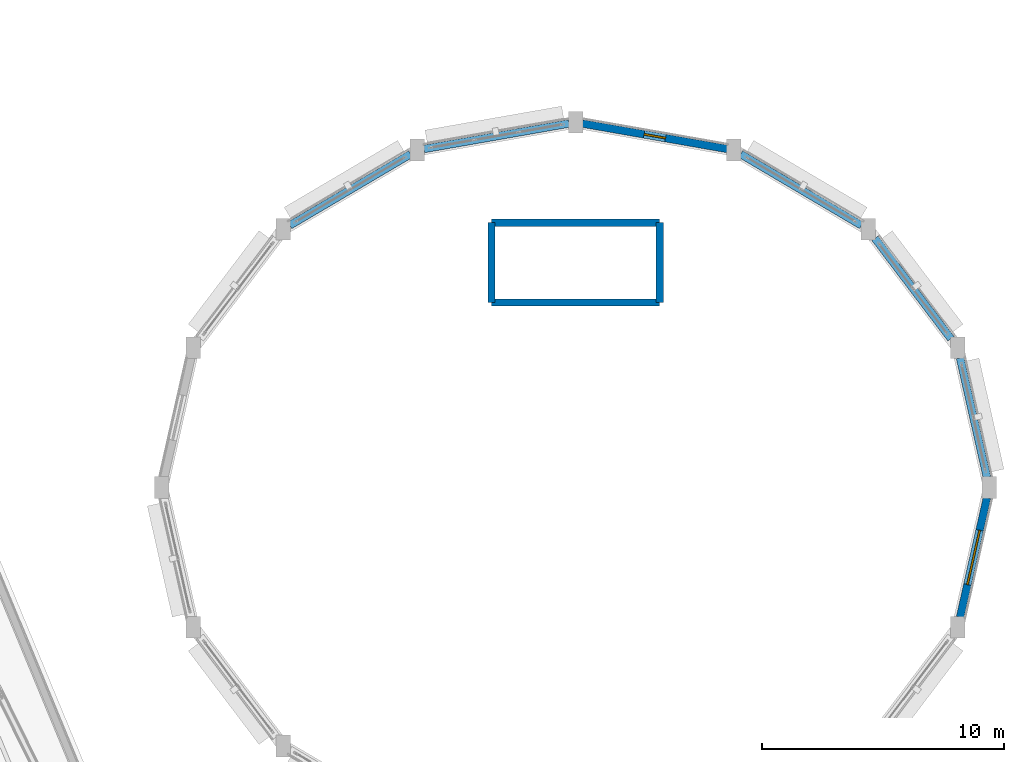
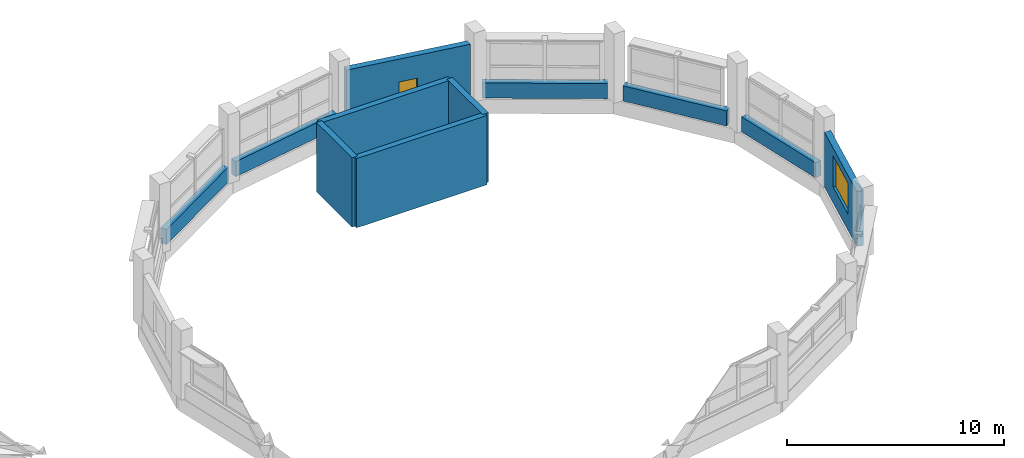
# One storey, part 107 of 121: 11 walls, 2 windows, 2 openings.
"""IFC4 building model written with IfcOpenShell, lengths in metres."""

import ifcopenshell
import ifcopenshell.guid

model = None  # the IFC model being written
_history = None  # IfcOwnerHistory: only IFC2X3 demands one
_inside = {}  # id of a spatial element -> (the spatial element, [elements in it])
_under = {}  # id of a project, library or spatial element -> (it, [spatial elements below it])
_declared = {}  # id of a project -> (the project, [libraries it declares])
_typed = {}  # id of a type object -> (the type object, [elements of that type])
_made_of = {}  # id of a material, layer set ... -> (it, [elements and type objects made of it])


def new_model(schema):
    """Start an empty IFC model of exactly this schema.

    Asked for "IFC4X3", IfcOpenShell would pick the latest addendum, in which some entities
    have other attributes; the version numbers below select the first issue.
    IFC2X3 requires an IfcOwnerHistory on every rooted entity: one is made here for all.
    """
    global model, _history
    if schema == "IFC4X3":
        model = ifcopenshell.file(schema_version=(4, 3, 0, 0))
    else:
        model = ifcopenshell.file(schema=schema)
    _inside.clear()
    _under.clear()
    _declared.clear()
    _typed.clear()
    _made_of.clear()
    _history = None
    if model.schema == "IFC2X3":
        org = make("IfcOrganization", Name="unknown")
        user = make(
            "IfcPersonAndOrganization",
            ThePerson=make("IfcPerson", FamilyName="unknown"),
            TheOrganization=org,
        )
        app = make(
            "IfcApplication",
            ApplicationDeveloper=org,
            Version="unknown",
            ApplicationFullName="unknown",
            ApplicationIdentifier="unknown",
        )
        _history = make(
            "IfcOwnerHistory",
            OwningUser=user,
            OwningApplication=app,
            ChangeAction="ADDED",
            CreationDate=0,
        )
    return model


def make(cls, **values):
    """One entity of the class cls with the attributes given. An attribute that is None is left unset."""
    return model.create_entity(
        cls, **{name: value for name, value in values.items() if value is not None}
    )


def rooted(cls, **values):
    """An entity with a GlobalId (a new one), such as an element, a storey or a relation."""
    return make(cls, GlobalId=ifcopenshell.guid.new(), OwnerHistory=_history, **values)


def si_unit(unit_type, name, prefix=None):
    """IfcSIUnit, for example si_unit("LENGTHUNIT", "METRE", prefix="MILLI")."""
    return make("IfcSIUnit", UnitType=unit_type, Prefix=prefix, Name=name)


def assignment(units):
    """IfcUnitAssignment: the units of a project."""
    return None if units is None else make("IfcUnitAssignment", Units=units)


def point(xyz):
    """IfcCartesianPoint."""
    return None if xyz is None else make("IfcCartesianPoint", Coordinates=xyz)


def direction(xyz):
    """IfcDirection."""
    return None if xyz is None else make("IfcDirection", DirectionRatios=xyz)


def frame(location, z_axis=None, x_axis=None):
    """IfcAxis2Placement3D, a coordinate frame: its origin and axes. An axis left out is left unset."""
    return make(
        "IfcAxis2Placement3D",
        Location=point(location),
        Axis=direction(z_axis),
        RefDirection=direction(x_axis),
    )


def frame_2d(location, x_axis=None):
    """IfcAxis2Placement2D, a coordinate frame in the plane: its origin and x axis."""
    return make(
        "IfcAxis2Placement2D", Location=point(location), RefDirection=direction(x_axis)
    )


def origin():
    """The frame at (0, 0, 0) with its axes left unset."""
    return frame((0.0, 0.0, 0.0))


def place(relative_to, where):
    """IfcLocalPlacement: puts the frame where relative to a parent placement (None: the world)."""
    return make(
        "IfcLocalPlacement", PlacementRelTo=relative_to, RelativePlacement=where
    )


def context(
    kind, dimensions, precision=None, world=None, true_north=None, identifier=None
):
    """IfcGeometricRepresentationContext, for example the 3D "Model" context."""
    return make(
        "IfcGeometricRepresentationContext",
        ContextIdentifier=identifier,
        ContextType=kind,
        CoordinateSpaceDimension=dimensions,
        Precision=precision,
        WorldCoordinateSystem=world,
        TrueNorth=true_north,
    )


def subcontext(parent, identifier, kind, view, scale=None):
    """IfcGeometricRepresentationSubContext, for example "Body" below "Model"."""
    return make(
        "IfcGeometricRepresentationSubContext",
        ContextIdentifier=identifier,
        ContextType=kind,
        ParentContext=parent,
        TargetScale=scale,
        TargetView=view,
    )


def project(units=None, contexts=None):
    """IfcProject with its units and contexts."""
    return rooted(
        "IfcProject",
        Name="project",
        RepresentationContexts=contexts,
        UnitsInContext=assignment(units),
    )


def spatial(cls, under=None, at=None, **own):
    """A site, building, storey or space (cls), placed at a placement, below another one or the project."""
    s = rooted(cls, ObjectPlacement=at, **own)
    if under is not None:
        _under.setdefault(under.id(), (under, []))[1].append(s)
    return s


def profile(cls, at=None, kind="AREA", **sizes):
    """A parametric profile (cls). Its sizes go by their IFC names, for example OverallWidth=200.0."""
    return make(cls, ProfileType=kind, Position=at, **sizes)


def rectangle(**sizes):
    """IfcRectangleProfileDef."""
    return profile("IfcRectangleProfileDef", **sizes)


def extrude(swept, where, along, depth):
    """IfcExtrudedAreaSolid: the profile swept, set in the frame where, extruded along a direction by depth."""
    return make(
        "IfcExtrudedAreaSolid",
        SweptArea=swept,
        Position=where,
        ExtrudedDirection=direction(along),
        Depth=depth,
    )


def shape(context_of_items, identifier, shape_type, items):
    """IfcShapeRepresentation: the items that make up one representation, for example the "Body"."""
    return make(
        "IfcShapeRepresentation",
        ContextOfItems=context_of_items,
        RepresentationIdentifier=identifier,
        RepresentationType=shape_type,
        Items=items,
    )


def material(Name=None, Category=None):
    """IfcMaterial."""
    return make("IfcMaterial", Name=Name, Category=Category)


def layer(
    of_material, thickness, ventilated=None, Name=None, Category=None, Priority=None
):
    """IfcMaterialLayer: one layer of a wall or slab, of a material (None: an air gap)."""
    return make(
        "IfcMaterialLayer",
        Material=of_material,
        LayerThickness=thickness,
        IsVentilated=ventilated,
        Name=Name,
        Category=Category,
        Priority=Priority,
    )


def layer_set(layers, Name=None):
    """IfcMaterialLayerSet."""
    return make("IfcMaterialLayerSet", MaterialLayers=layers, LayerSetName=Name)


def made_of(thing, what):
    """Note that an element or type object is made of a material, layer set ...; save() writes the relation."""
    if what is not None:
        _made_of.setdefault(what.id(), (what, []))[1].append(thing)
    return thing


def type_object(cls, material=None, **own):
    """A type object (cls), such as IfcWallType, which elements share."""
    return made_of(rooted(cls, **own), material)


def element(
    cls,
    number,
    at=None,
    inside=None,
    cuts=None,
    type_object=None,
    material=None,
    context=None,
    identifier="Body",
    shape_type=None,
    held_by="IfcProductDefinitionShape",
    body=None,
    shapes=None,
    **own,
):
    """One element of the class cls, such as IfcWall. Its Tag is "e" and its number.

    at: its placement. inside: the storey or other place that contains it. cuts: it is an
    opening in that element (IfcRelVoidsElement). A single representation is given by context,
    identifier, shape_type and body (its items); several are given by shapes. held_by: the class
    of the entity that holds the representations. save() writes the other relations.
    """
    e = rooted(cls, Tag="e%d" % number, ObjectPlacement=at, **own)
    if body is not None:
        shapes = [shape(context, identifier, shape_type, body)]
    if shapes is not None:
        e.Representation = make(held_by, Representations=shapes)
    if inside is not None:
        _inside.setdefault(inside.id(), (inside, []))[1].append(e)
    if cuts is not None:
        rooted(
            "IfcRelVoidsElement", RelatingBuildingElement=cuts, RelatedOpeningElement=e
        )
    if type_object is not None:
        _typed.setdefault(type_object.id(), (type_object, []))[1].append(e)
    return made_of(e, material)


def fill(opening, filler):
    """IfcRelFillsElement: the door or window that sits in an opening."""
    return rooted(
        "IfcRelFillsElement",
        RelatingOpeningElement=opening,
        RelatedBuildingElement=filler,
    )


def aggregate(whole, parts):
    """IfcRelAggregates: a whole, such as a stair, and the parts it consists of."""
    return rooted("IfcRelAggregates", RelatingObject=whole, RelatedObjects=parts)


def save(model, path):
    """Write the relations noted so far, then the file.

    IfcRelAggregates (storeys below a building ...), IfcRelContainedInSpatialStructure (elements
    in a storey), IfcRelDefinesByType, IfcRelAssociatesMaterial and IfcRelDeclares: one each for
    every whole, place, type object, material and project.
    """
    for whole, parts in _under.values():
        aggregate(whole, parts)
    for where, things in _inside.values():
        rooted(
            "IfcRelContainedInSpatialStructure",
            RelatedElements=things,
            RelatingStructure=where,
        )
    for kind, things in _typed.values():
        rooted("IfcRelDefinesByType", RelatedObjects=things, RelatingType=kind)
    for what, things in _made_of.values():
        rooted("IfcRelAssociatesMaterial", RelatedObjects=things, RelatingMaterial=what)
    for by, libraries in _declared.values():
        rooted("IfcRelDeclares", RelatingContext=by, RelatedDefinitions=libraries)
    model.write(path)


model = new_model("IFC4")

# Units and contexts
model_context = context("Model", 3, precision=1e-05, world=origin(), true_north=direction((0.0, 1.0)))
body_context = subcontext(model_context, "Body", "Model", "MODEL_VIEW")
ifc_project = project(units=[si_unit("LENGTHUNIT", "METRE"), si_unit("AREAUNIT", "SQUARE_METRE"), si_unit("VOLUMEUNIT", "CUBIC_METRE"), si_unit("PLANEANGLEUNIT", "RADIAN"), si_unit("MASSUNIT", "GRAM", prefix="KILO")], contexts=[model_context])

# Site, building, storey
site_placement = place(None, origin())
site = spatial("IfcSite", under=ifc_project, at=site_placement, CompositionType="ELEMENT")
building_placement = place(site_placement, origin())
building = spatial("IfcBuilding", under=site, at=building_placement, Name="Vespera Passage Community Centre", CompositionType="ELEMENT")
storey_placement = place(building_placement, frame((0.0, 0.0, 8.699951171875)))
storey = spatial("IfcBuildingStorey", under=building, at=storey_placement, Name="L02", CompositionType="ELEMENT", Elevation=8.699951171875)

# Walls
ifc_material_1 = material(Name="Concrete f'c 45 MPa", Category="concrete")
ifc_layer_1 = layer(ifc_material_1, 0.300048828125)
ifc_layer_set_1 = layer_set([ifc_layer_1], Name="Concrete f'c 45 MPa")
wall_type_1 = type_object("IfcWallType", Name="WT-CORE-300I", PredefinedType="SHEAR", material=ifc_layer_set_1)
wall_1_placement = place(storey_placement, frame((146.47509765625, 97.14990234375, 0.0), z_axis=(0.0, 0.0, 1.0), x_axis=(-1.0, 0.0, 0.0)))
element("IfcWall", 1, at=wall_1_placement, inside=storey, type_object=wall_type_1, Name="Core C6 L02 Shear Wall FRONT", PredefinedType="SHEAR", context=body_context, shape_type="SweptSolid", body=[
    extrude(rectangle(XDim=6.9501953125, YDim=0.300048828125, at=frame_2d((3.47509765625, 0.0))), origin(), (0.0, 0.0, 1.0), 3.900146484375),
])
wall_2_placement = place(storey_placement, frame((139.52490234375, 97.14990234375, 0.0), z_axis=(0.0, 0.0, 1.0), x_axis=(0.0, 1.0, 0.0)))
element("IfcWall", 2, at=wall_2_placement, inside=storey, type_object=wall_type_1, Name="Core C6 L02 Shear Wall LEFT", PredefinedType="SHEAR", context=body_context, shape_type="SweptSolid", body=[
    extrude(rectangle(XDim=3.300048828125, YDim=0.300048828125, at=frame_2d((1.64990234375, 0.0))), origin(), (0.0, 0.0, 1.0), 3.900146484375),
])
wall_3_placement = place(storey_placement, frame((139.52490234375, 100.449951171875, 0.0), z_axis=(0.0, 0.0, 1.0), x_axis=(1.0, 0.0, 0.0)))
element("IfcWall", 3, at=wall_3_placement, inside=storey, type_object=wall_type_1, Name="Core C6 L02 Shear Wall BACK", PredefinedType="SHEAR", context=body_context, shape_type="SweptSolid", body=[
    extrude(rectangle(XDim=6.9501953125, YDim=0.300048828125, at=frame_2d((3.47509765625, 0.0))), origin(), (0.0, 0.0, 1.0), 3.900146484375),
])
wall_4_placement = place(storey_placement, frame((146.47509765625, 100.449951171875, 0.0), z_axis=(0.0, 0.0, 1.0), x_axis=(0.0, -1.0, 0.0)))
element("IfcWall", 4, at=wall_4_placement, inside=storey, type_object=wall_type_1, Name="Core C6 L02 Shear Wall RIGHT", PredefinedType="SHEAR", context=body_context, shape_type="SweptSolid", body=[
    extrude(rectangle(XDim=3.300048828125, YDim=0.300048828125, at=frame_2d((1.64990234375, 0.0))), origin(), (0.0, 0.0, 1.0), 3.900146484375),
])
ifc_material_2 = material(Name="Precast concrete f'c 40 MPa", Category="concrete")
ifc_layer_2 = layer(ifc_material_2, 0.320068359375)
ifc_layer_set_2 = layer_set([ifc_layer_2], Name="Precast concrete f'c 40 MPa")
wall_type_2 = type_object("IfcWallType", Name="WT-EXT-320E", PredefinedType="STANDARD", material=ifc_layer_set_2)
wall_5_placement = place(storey_placement, frame((158.894287109375, 94.852783203125, 0.0), z_axis=(0.0, 0.0, 1.0), x_axis=(0.219744533343, -0.97555745093, 0.0)))
element("IfcWall", 5, at=wall_5_placement, inside=storey, type_object=wall_type_2, Name="V2 L02 Spandrel 1", PredefinedType="STANDARD", context=body_context, shape_type="SweptSolid", body=[
    extrude(rectangle(XDim=5.05078125, YDim=0.320068359375, at=frame_2d((2.525390625, 0.0))), origin(), (0.0, 0.0, 1.0), 0.85009765625),
])
wall_6_placement = place(storey_placement, frame((155.37646484375, 99.80078125, 0.0), z_axis=(0.0, 0.0, 1.0), x_axis=(0.603398282319, -0.797439974477, 0.0)))
element("IfcWall", 6, at=wall_6_placement, inside=storey, type_object=wall_type_2, Name="V2 L02 Spandrel 2", PredefinedType="STANDARD", context=body_context, shape_type="SweptSolid", body=[
    extrude(rectangle(XDim=5.19873046875, YDim=0.320068359375, at=frame_2d((2.599365234375, 0.0))), origin(), (0.0, 0.0, 1.0), 0.85009765625),
])
wall_7_placement = place(storey_placement, frame((149.822509765625, 103.286376953125, 0.0), z_axis=(0.0, 0.0, 1.0), x_axis=(0.861235880181, -0.508205429614, 0.0)))
element("IfcWall", 7, at=wall_7_placement, inside=storey, type_object=wall_type_2, Name="V2 L02 Spandrel 3", PredefinedType="STANDARD", context=body_context, shape_type="SweptSolid", body=[
    extrude(rectangle(XDim=5.79443359375, YDim=0.320068359375, at=frame_2d((2.897216796875, 0.0))), origin(), (0.0, 0.0, 1.0), 0.85009765625),
])

# Wall, opening, window
wall_8_placement = place(storey_placement, frame((143.275390625, 104.551513671875, 0.0), z_axis=(0.0, 0.0, 1.0), x_axis=(0.984927418504, -0.172968148166, 0.0)))
wall_8 = element("IfcWall", 8, at=wall_8_placement, inside=storey, type_object=wall_type_2, Name="V2 L02 Facade Wall 4", PredefinedType="STANDARD", context=body_context, shape_type="SweptSolid", body=[
    extrude(rectangle(XDim=6.0849609375, YDim=0.320068359375, at=frame_2d((3.04248046875, 0.0))), origin(), (0.0, 0.0, 1.0), 3.0849609375),
])
opening_1_placement = place(wall_8_placement, frame((2.59228515625, 0.0, 0.89990234375)))
opening_1 = element("IfcOpeningElement", 9, at=opening_1_placement, cuts=wall_8, Name="Opening WN-01E", PredefinedType="OPENING", context=body_context, shape_type="SweptSolid", body=[
    extrude(rectangle(XDim=0.89990234375, YDim=0.89990234375, at=frame_2d((0.449951171875, 0.449951171875))), frame((0.0, 0.170166015625, 0.0), z_axis=(0.0, -1.0, 0.0), x_axis=(1.0, 0.0, 0.0)), (0.0, 0.0, 1.0), 0.340087890625),
])
ifc_material_3 = material(Name="Low-E insulated vision glass", Category="glass")
window_type_1 = type_object("IfcWindowType", Name="WN-01E", PartitioningType="SINGLE_PANEL", PredefinedType="WINDOW", material=ifc_material_3)
window_1_placement = place(opening_1_placement, origin())
window_1 = element("IfcWindow", 10, at=window_1_placement, inside=storey, type_object=window_type_1, Name="Window WN-V2-L02-P04", OverallHeight=0.89990234375, OverallWidth=0.89990234375, PartitioningType="SINGLE_PANEL", PredefinedType="WINDOW", context=body_context, shape_type="SweptSolid", body=[
    extrude(rectangle(XDim=0.89990234375, YDim=0.89990234375, at=frame_2d((0.449951171875, 0.449951171875))), frame((0.0, 0.030029296875, 0.0), z_axis=(0.0, -1.0, 0.0), x_axis=(1.0, 0.0, 0.0)), (0.0, 0.0, 1.0), 0.06005859375),
])
fill(opening_1, window_1)

# Walls
wall_9_placement = place(storey_placement, frame((136.7314453125, 103.4990234375, 0.0), z_axis=(0.0, 0.0, 1.0), x_axis=(0.984927418504, 0.172968148166, 0.0)))
element("IfcWall", 11, at=wall_9_placement, inside=storey, type_object=wall_type_2, Name="V2 L02 Spandrel 5", PredefinedType="STANDARD", context=body_context, shape_type="SweptSolid", body=[
    extrude(rectangle(XDim=6.0849609375, YDim=0.320068359375, at=frame_2d((3.04248046875, 0.0))), origin(), (0.0, 0.0, 1.0), 0.85009765625),
])
wall_10_placement = place(storey_placement, frame((131.18701171875, 100.341552734375, 0.0), z_axis=(0.0, 0.0, 1.0), x_axis=(0.861235880181, 0.508205429614, 0.0)))
element("IfcWall", 12, at=wall_10_placement, inside=storey, type_object=wall_type_2, Name="V2 L02 Spandrel 6", PredefinedType="STANDARD", context=body_context, shape_type="SweptSolid", body=[
    extrude(rectangle(XDim=5.79443359375, YDim=0.320068359375, at=frame_2d((2.897216796875, 0.0))), origin(), (0.0, 0.0, 1.0), 0.85009765625),
])

# Wall, opening, window
wall_11_placement = place(storey_placement, frame((160.004150390625, 89.074462890625, 0.0), z_axis=(0.0, 0.0, 1.0), x_axis=(-0.219744533343, -0.97555745093, 0.0)))
wall_11 = element("IfcWall", 13, at=wall_11_placement, inside=storey, type_object=wall_type_2, Name="V2 L02 Facade Wall 16", PredefinedType="STANDARD", context=body_context, shape_type="SweptSolid", body=[
    extrude(rectangle(XDim=5.05078125, YDim=0.320068359375, at=frame_2d((2.525390625, 0.0))), origin(), (0.0, 0.0, 1.0), 3.0849609375),
])
opening_2_placement = place(wall_11_placement, frame((1.37548828125, 0.0, 0.89990234375)))
opening_2 = element("IfcOpeningElement", 14, at=opening_2_placement, cuts=wall_11, Name="Opening WN-23E", PredefinedType="OPENING", context=body_context, shape_type="SweptSolid", body=[
    extrude(rectangle(XDim=2.300048828125, YDim=1.75, at=frame_2d((1.14990234375, 0.875))), frame((0.0, 0.170166015625, 0.0), z_axis=(0.0, -1.0, 0.0), x_axis=(1.0, 0.0, 0.0)), (0.0, 0.0, 1.0), 0.340087890625),
])
ifc_material_4 = material(Name="Low-E insulated vision glass", Category="glass")
window_type_2 = type_object("IfcWindowType", Name="WN-23E", PartitioningType="SINGLE_PANEL", PredefinedType="WINDOW", material=ifc_material_4)
window_2_placement = place(opening_2_placement, origin())
window_2 = element("IfcWindow", 15, at=window_2_placement, inside=storey, type_object=window_type_2, Name="Window WN-V2-L02-P16", OverallHeight=1.75, OverallWidth=2.300048828125, PartitioningType="SINGLE_PANEL", PredefinedType="WINDOW", context=body_context, shape_type="SweptSolid", body=[
    extrude(rectangle(XDim=2.300048828125, YDim=1.75, at=frame_2d((1.14990234375, 0.875))), frame((0.0, 0.030029296875, 0.0), z_axis=(0.0, -1.0, 0.0), x_axis=(1.0, 0.0, 0.0)), (0.0, 0.0, 1.0), 0.06005859375),
])
fill(opening_2, window_2)

save(model, "model.ifc")
